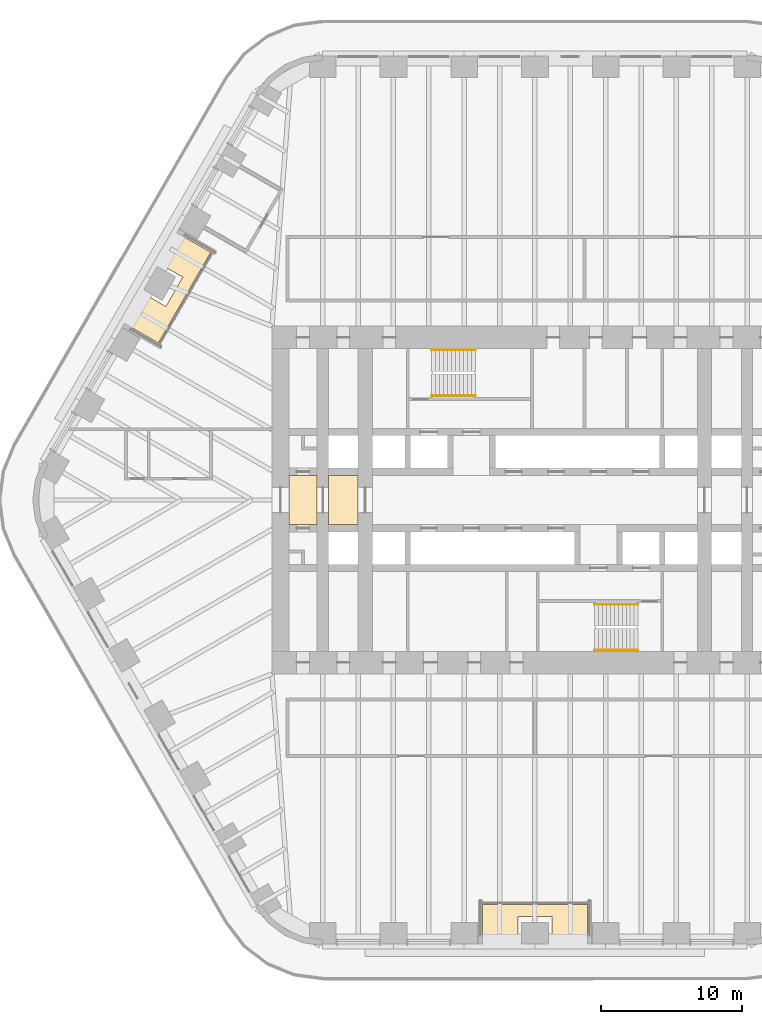
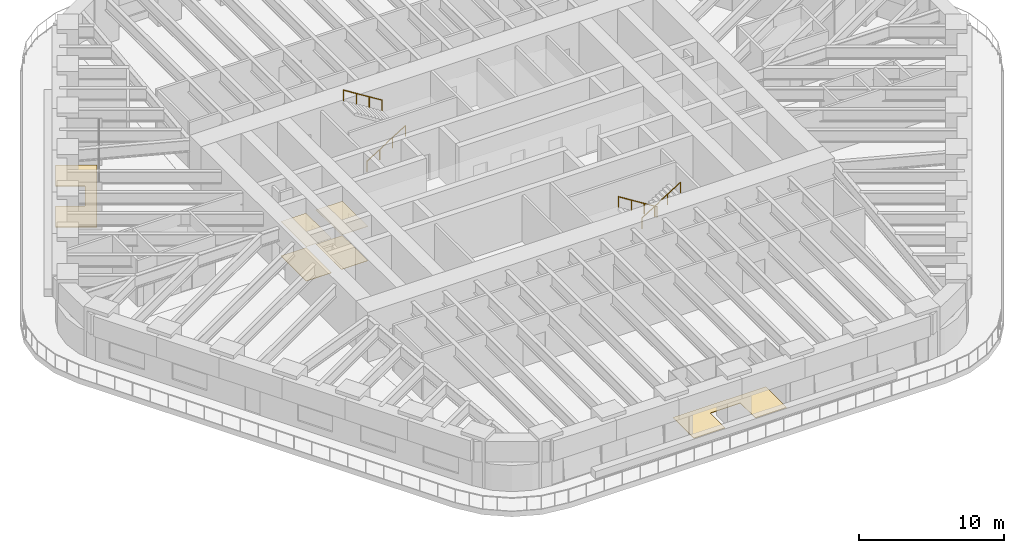
# One storey, part 17 of 19: 6 coverings, 4 railings.
"""IFC4 building model written with IfcOpenShell, lengths in metres."""

import ifcopenshell
import ifcopenshell.guid

model = None  # the IFC model being written
_history = None  # IfcOwnerHistory: only IFC2X3 demands one
_inside = {}  # id of a spatial element -> (the spatial element, [elements in it])
_under = {}  # id of a project, library or spatial element -> (it, [spatial elements below it])
_declared = {}  # id of a project -> (the project, [libraries it declares])
_typed = {}  # id of a type object -> (the type object, [elements of that type])
_made_of = {}  # id of a material, layer set ... -> (it, [elements and type objects made of it])


def new_model(schema):
    """Start an empty IFC model of exactly this schema.

    Asked for "IFC4X3", IfcOpenShell would pick the latest addendum, in which some entities
    have other attributes; the version numbers below select the first issue.
    IFC2X3 requires an IfcOwnerHistory on every rooted entity: one is made here for all.
    """
    global model, _history
    if schema == "IFC4X3":
        model = ifcopenshell.file(schema_version=(4, 3, 0, 0))
    else:
        model = ifcopenshell.file(schema=schema)
    _inside.clear()
    _under.clear()
    _declared.clear()
    _typed.clear()
    _made_of.clear()
    _history = None
    if model.schema == "IFC2X3":
        org = make("IfcOrganization", Name="unknown")
        user = make(
            "IfcPersonAndOrganization",
            ThePerson=make("IfcPerson", FamilyName="unknown"),
            TheOrganization=org,
        )
        app = make(
            "IfcApplication",
            ApplicationDeveloper=org,
            Version="unknown",
            ApplicationFullName="unknown",
            ApplicationIdentifier="unknown",
        )
        _history = make(
            "IfcOwnerHistory",
            OwningUser=user,
            OwningApplication=app,
            ChangeAction="ADDED",
            CreationDate=0,
        )
    return model


def make(cls, **values):
    """One entity of the class cls with the attributes given. An attribute that is None is left unset."""
    return model.create_entity(
        cls, **{name: value for name, value in values.items() if value is not None}
    )


def rooted(cls, **values):
    """An entity with a GlobalId (a new one), such as an element, a storey or a relation."""
    return make(cls, GlobalId=ifcopenshell.guid.new(), OwnerHistory=_history, **values)


def si_unit(unit_type, name, prefix=None):
    """IfcSIUnit, for example si_unit("LENGTHUNIT", "METRE", prefix="MILLI")."""
    return make("IfcSIUnit", UnitType=unit_type, Prefix=prefix, Name=name)


def assignment(units):
    """IfcUnitAssignment: the units of a project."""
    return None if units is None else make("IfcUnitAssignment", Units=units)


def point(xyz):
    """IfcCartesianPoint."""
    return None if xyz is None else make("IfcCartesianPoint", Coordinates=xyz)


def direction(xyz):
    """IfcDirection."""
    return None if xyz is None else make("IfcDirection", DirectionRatios=xyz)


def frame(location, z_axis=None, x_axis=None):
    """IfcAxis2Placement3D, a coordinate frame: its origin and axes. An axis left out is left unset."""
    return make(
        "IfcAxis2Placement3D",
        Location=point(location),
        Axis=direction(z_axis),
        RefDirection=direction(x_axis),
    )


def frame_2d(location, x_axis=None):
    """IfcAxis2Placement2D, a coordinate frame in the plane: its origin and x axis."""
    return make(
        "IfcAxis2Placement2D", Location=point(location), RefDirection=direction(x_axis)
    )


def origin():
    """The frame at (0, 0, 0) with its axes left unset."""
    return frame((0.0, 0.0, 0.0))


def origin_2d():
    """The frame at (0, 0) in the plane with its x axis left unset."""
    return frame_2d((0.0, 0.0))


def place(relative_to, where):
    """IfcLocalPlacement: puts the frame where relative to a parent placement (None: the world)."""
    return make(
        "IfcLocalPlacement", PlacementRelTo=relative_to, RelativePlacement=where
    )


def context(
    kind, dimensions, precision=None, world=None, true_north=None, identifier=None
):
    """IfcGeometricRepresentationContext, for example the 3D "Model" context."""
    return make(
        "IfcGeometricRepresentationContext",
        ContextIdentifier=identifier,
        ContextType=kind,
        CoordinateSpaceDimension=dimensions,
        Precision=precision,
        WorldCoordinateSystem=world,
        TrueNorth=true_north,
    )


def subcontext(parent, identifier, kind, view, scale=None):
    """IfcGeometricRepresentationSubContext, for example "Body" below "Model"."""
    return make(
        "IfcGeometricRepresentationSubContext",
        ContextIdentifier=identifier,
        ContextType=kind,
        ParentContext=parent,
        TargetScale=scale,
        TargetView=view,
    )


def project(units=None, contexts=None):
    """IfcProject with its units and contexts."""
    return rooted(
        "IfcProject",
        Name="project",
        RepresentationContexts=contexts,
        UnitsInContext=assignment(units),
    )


def spatial(cls, under=None, at=None, **own):
    """A site, building, storey or space (cls), placed at a placement, below another one or the project."""
    s = rooted(cls, ObjectPlacement=at, **own)
    if under is not None:
        _under.setdefault(under.id(), (under, []))[1].append(s)
    return s


def polyline(points):
    """IfcPolyline through the points."""
    return make("IfcPolyline", Points=[point(p) for p in points])


def profile(cls, at=None, kind="AREA", **sizes):
    """A parametric profile (cls). Its sizes go by their IFC names, for example OverallWidth=200.0."""
    return make(cls, ProfileType=kind, Position=at, **sizes)


def circle(**sizes):
    """IfcCircleProfileDef."""
    return profile("IfcCircleProfileDef", **sizes)


def outline(outer, holes=None, kind="AREA"):
    """IfcArbitraryClosedProfileDef: a profile drawn as a closed curve; with holes, ...WithVoids."""
    if holes is None:
        return make("IfcArbitraryClosedProfileDef", ProfileType=kind, OuterCurve=outer)
    return make(
        "IfcArbitraryProfileDefWithVoids",
        ProfileType=kind,
        OuterCurve=outer,
        InnerCurves=holes,
    )


def extrude(swept, where, along, depth):
    """IfcExtrudedAreaSolid: the profile swept, set in the frame where, extruded along a direction by depth."""
    return make(
        "IfcExtrudedAreaSolid",
        SweptArea=swept,
        Position=where,
        ExtrudedDirection=direction(along),
        Depth=depth,
    )


def shape(context_of_items, identifier, shape_type, items):
    """IfcShapeRepresentation: the items that make up one representation, for example the "Body"."""
    return make(
        "IfcShapeRepresentation",
        ContextOfItems=context_of_items,
        RepresentationIdentifier=identifier,
        RepresentationType=shape_type,
        Items=items,
    )


def material(Name=None, Category=None):
    """IfcMaterial."""
    return make("IfcMaterial", Name=Name, Category=Category)


def layer(
    of_material, thickness, ventilated=None, Name=None, Category=None, Priority=None
):
    """IfcMaterialLayer: one layer of a wall or slab, of a material (None: an air gap)."""
    return make(
        "IfcMaterialLayer",
        Material=of_material,
        LayerThickness=thickness,
        IsVentilated=ventilated,
        Name=Name,
        Category=Category,
        Priority=Priority,
    )


def layer_set(layers, Name=None):
    """IfcMaterialLayerSet."""
    return make("IfcMaterialLayerSet", MaterialLayers=layers, LayerSetName=Name)


def made_of(thing, what):
    """Note that an element or type object is made of a material, layer set ...; save() writes the relation."""
    if what is not None:
        _made_of.setdefault(what.id(), (what, []))[1].append(thing)
    return thing


def type_object(cls, material=None, **own):
    """A type object (cls), such as IfcWallType, which elements share."""
    return made_of(rooted(cls, **own), material)


def element(
    cls,
    number,
    at=None,
    inside=None,
    cuts=None,
    type_object=None,
    material=None,
    context=None,
    identifier="Body",
    shape_type=None,
    held_by="IfcProductDefinitionShape",
    body=None,
    shapes=None,
    **own,
):
    """One element of the class cls, such as IfcWall. Its Tag is "e" and its number.

    at: its placement. inside: the storey or other place that contains it. cuts: it is an
    opening in that element (IfcRelVoidsElement). A single representation is given by context,
    identifier, shape_type and body (its items); several are given by shapes. held_by: the class
    of the entity that holds the representations. save() writes the other relations.
    """
    e = rooted(cls, Tag="e%d" % number, ObjectPlacement=at, **own)
    if body is not None:
        shapes = [shape(context, identifier, shape_type, body)]
    if shapes is not None:
        e.Representation = make(held_by, Representations=shapes)
    if inside is not None:
        _inside.setdefault(inside.id(), (inside, []))[1].append(e)
    if cuts is not None:
        rooted(
            "IfcRelVoidsElement", RelatingBuildingElement=cuts, RelatedOpeningElement=e
        )
    if type_object is not None:
        _typed.setdefault(type_object.id(), (type_object, []))[1].append(e)
    return made_of(e, material)


def aggregate(whole, parts):
    """IfcRelAggregates: a whole, such as a stair, and the parts it consists of."""
    return rooted("IfcRelAggregates", RelatingObject=whole, RelatedObjects=parts)


def save(model, path):
    """Write the relations noted so far, then the file.

    IfcRelAggregates (storeys below a building ...), IfcRelContainedInSpatialStructure (elements
    in a storey), IfcRelDefinesByType, IfcRelAssociatesMaterial and IfcRelDeclares: one each for
    every whole, place, type object, material and project.
    """
    for whole, parts in _under.values():
        aggregate(whole, parts)
    for where, things in _inside.values():
        rooted(
            "IfcRelContainedInSpatialStructure",
            RelatedElements=things,
            RelatingStructure=where,
        )
    for kind, things in _typed.values():
        rooted("IfcRelDefinesByType", RelatedObjects=things, RelatingType=kind)
    for what, things in _made_of.values():
        rooted("IfcRelAssociatesMaterial", RelatedObjects=things, RelatingMaterial=what)
    for by, libraries in _declared.values():
        rooted("IfcRelDeclares", RelatingContext=by, RelatedDefinitions=libraries)
    model.write(path)


model = new_model("IFC4")

# Units and contexts
model_context = context("Model", 3, precision=1e-05, world=origin(), true_north=direction((0.0, 1.0)))
body_context = subcontext(model_context, "Body", "Model", "MODEL_VIEW")
ifc_project = project(units=[si_unit("LENGTHUNIT", "METRE"), si_unit("AREAUNIT", "SQUARE_METRE"), si_unit("VOLUMEUNIT", "CUBIC_METRE"), si_unit("PLANEANGLEUNIT", "RADIAN"), si_unit("MASSUNIT", "GRAM", prefix="KILO")], contexts=[model_context])

# Site, building, storey
site_placement = place(None, origin())
site = spatial("IfcSite", under=ifc_project, at=site_placement, CompositionType="ELEMENT")
building_placement = place(site_placement, origin())
building = spatial("IfcBuilding", under=site, at=building_placement, Name="Tarfa Lantern Tower", CompositionType="ELEMENT")
storey_placement = place(building_placement, frame((0.0, 0.0, 199.300048828125)))
storey = spatial("IfcBuildingStorey", under=building, at=storey_placement, Name="L45", CompositionType="ELEMENT", Elevation=199.300048828125)

# Coverings
ifc_material_1 = material(Name="Powder-coated aluminium panel", Category="aluminium")
ifc_layer_1 = layer(ifc_material_1, 0.030029296875)
ifc_layer_set_1 = layer_set([ifc_layer_1], Name="CL3 METAL PANEL CEILING 30")
covering_type_1 = type_object("IfcCoveringType", Name="CL3 METAL PANEL CEILING 30", PredefinedType="CEILING", material=ifc_layer_set_1)
covering_1_placement = place(storey_placement, frame((0.0, 0.0, 2.89990234375)))
element("IfcCovering", 1, at=covering_1_placement, inside=storey, type_object=covering_type_1, Name="Ceiling L45-01", PredefinedType="CEILING", context=body_context, shape_type="SweptSolid", body=[
    extrude(outline(polyline([(-17.39990234375, -1.75), (-15.39990234375, -1.75), (-15.39990234375, 1.75), (-17.39990234375, 1.75), (-17.39990234375, -1.75)])), origin(), (0.0, 0.0, 1.0), 0.030029296875),
])
covering_2_placement = place(storey_placement, frame((0.0, 0.0, 2.89990234375)))
element("IfcCovering", 2, at=covering_2_placement, inside=storey, type_object=covering_type_1, Name="Ceiling L45-02", PredefinedType="CEILING", context=body_context, shape_type="SweptSolid", body=[
    extrude(outline(polyline([(-14.60009765625, -1.75), (-12.5, -1.75), (-12.5, 1.75), (-14.60009765625, 1.75), (-14.60009765625, -1.75)])), origin(), (0.0, 0.0, 1.0), 0.030029296875),
])
ifc_material_2 = material(Name="Honed limestone flooring", Category="masonry")
ifc_layer_2 = layer(ifc_material_2, 0.030029296875)
ifc_layer_set_2 = layer_set([ifc_layer_2], Name="FL2 STONE FLOORING 30")
covering_type_2 = type_object("IfcCoveringType", Name="FL2 STONE FLOORING 30", PredefinedType="FLOORING", material=ifc_layer_set_2)
covering_3_placement = place(storey_placement, origin())
element("IfcCovering", 3, at=covering_3_placement, inside=storey, type_object=covering_type_2, Name="Floor finish L45-01", PredefinedType="FLOORING", context=body_context, shape_type="SweptSolid", body=[
    extrude(outline(polyline([(-17.39990234375, -1.75), (-15.39990234375, -1.75), (-15.39990234375, 1.75), (-17.39990234375, 1.75), (-17.39990234375, -1.75)])), origin(), (0.0, 0.0, 1.0), 0.030029296875),
])
covering_4_placement = place(storey_placement, origin())
element("IfcCovering", 4, at=covering_4_placement, inside=storey, type_object=covering_type_2, Name="Floor finish L45-02", PredefinedType="FLOORING", context=body_context, shape_type="SweptSolid", body=[
    extrude(outline(polyline([(-14.60009765625, -1.75), (-12.5, -1.75), (-12.5, 1.75), (-14.60009765625, 1.75), (-14.60009765625, -1.75)])), origin(), (0.0, 0.0, 1.0), 0.030029296875),
])

# Railings
ifc_material_3 = material(Name="Stainless steel", Category="steel")
railing_type = type_object("IfcRailingType", Name="HR1 HANDRAIL 900", PredefinedType="HANDRAIL", material=ifc_material_3)
railing_1_placement = place(storey_placement, frame((-7.300048828125, 7.3798828125, 0.175048828125)))
element("IfcRailing", 5, at=railing_1_placement, inside=storey, type_object=railing_type, Name="Handrail 1", PredefinedType="HANDRAIL", context=body_context, shape_type="SweptSolid", body=[
    extrude(circle(Radius=0.02392578125, at=origin_2d()), frame((0.0, 0.0, 0.8759765625), z_axis=(0.848028513186, 0.0, 0.529950602248), x_axis=(0.0, 1.0, 0.0)), (0.0, 0.0, 1.0), 3.632080078125),
    extrude(circle(Radius=0.02099609375, at=origin_2d()), frame((0.0, 0.0, 0.0), z_axis=(0.0, 0.0, 1.0), x_axis=(0.0, 1.0, 0.0)), (0.0, 0.0, 1.0), 0.851806640625),
    extrude(circle(Radius=0.02099609375, at=origin_2d()), frame((1.026611328125, 0.0, 0.6416015625), z_axis=(0.0, 0.0, 1.0), x_axis=(0.0, 1.0, 0.0)), (0.0, 0.0, 1.0), 0.851806640625),
    extrude(circle(Radius=0.02099609375, at=origin_2d()), frame((2.053466796875, 0.0, 1.283203125), z_axis=(0.0, 0.0, 1.0), x_axis=(0.0, 1.0, 0.0)), (0.0, 0.0, 1.0), 0.851806640625),
    extrude(circle(Radius=0.02099609375, at=origin_2d()), frame((3.080078125, 0.0, 1.9248046875), z_axis=(0.0, 0.0, 1.0), x_axis=(0.0, 1.0, 0.0)), (0.0, 0.0, 1.0), 0.851806640625),
])
railing_2_placement = place(storey_placement, frame((-4.219970703125, 10.6201171875, 2.27490234375)))
element("IfcRailing", 6, at=railing_2_placement, inside=storey, type_object=railing_type, Name="Handrail 2", PredefinedType="HANDRAIL", context=body_context, shape_type="SweptSolid", body=[
    extrude(circle(Radius=0.02392578125, at=origin_2d()), frame((0.0, 0.0, 0.8759765625), z_axis=(-0.847998304005, 0.0, 0.529998940003), x_axis=(0.0, -1.0, 0.0)), (0.0, 0.0, 1.0), 3.632080078125),
    extrude(circle(Radius=0.02099609375, at=origin_2d()), frame((0.0, 0.0, 0.0), z_axis=(0.0, 0.0, 1.0), x_axis=(0.0, -1.0, 0.0)), (0.0, 0.0, 1.0), 0.851806640625),
    extrude(circle(Radius=0.02099609375, at=origin_2d()), frame((-1.026611328125, 0.0, 0.6416015625), z_axis=(0.0, 0.0, 1.0), x_axis=(0.0, -1.0, 0.0)), (0.0, 0.0, 1.0), 0.851806640625),
    extrude(circle(Radius=0.02099609375, at=origin_2d()), frame((-2.053466796875, 0.0, 1.283447265625), z_axis=(0.0, 0.0, 1.0), x_axis=(0.0, -1.0, 0.0)), (0.0, 0.0, 1.0), 0.851806640625),
    extrude(circle(Radius=0.02099609375, at=origin_2d()), frame((-3.080078125, 0.0, 1.925048828125), z_axis=(0.0, 0.0, 1.0), x_axis=(0.0, -1.0, 0.0)), (0.0, 0.0, 1.0), 0.851806640625),
])
railing_3_placement = place(storey_placement, frame((7.300048828125, -7.3798828125, 0.175048828125)))
element("IfcRailing", 7, at=railing_3_placement, inside=storey, type_object=railing_type, Name="Handrail 1", PredefinedType="HANDRAIL", context=body_context, shape_type="SweptSolid", body=[
    extrude(circle(Radius=0.02392578125, at=origin_2d()), frame((0.0, 0.0, 0.8759765625), z_axis=(-0.848028513186, 0.0, 0.529950602248), x_axis=(0.0, -1.0, 0.0)), (0.0, 0.0, 1.0), 3.632080078125),
    extrude(circle(Radius=0.02099609375, at=origin_2d()), frame((0.0, 0.0, 0.0), z_axis=(0.0, 0.0, 1.0), x_axis=(0.0, -1.0, 0.0)), (0.0, 0.0, 1.0), 0.851806640625),
    extrude(circle(Radius=0.02099609375, at=origin_2d()), frame((-1.026611328125, 0.0, 0.6416015625), z_axis=(0.0, 0.0, 1.0), x_axis=(0.0, -1.0, 0.0)), (0.0, 0.0, 1.0), 0.851806640625),
    extrude(circle(Radius=0.02099609375, at=origin_2d()), frame((-2.053466796875, 0.0, 1.283203125), z_axis=(0.0, 0.0, 1.0), x_axis=(0.0, -1.0, 0.0)), (0.0, 0.0, 1.0), 0.851806640625),
    extrude(circle(Radius=0.02099609375, at=origin_2d()), frame((-3.080078125, 0.0, 1.9248046875), z_axis=(0.0, 0.0, 1.0), x_axis=(0.0, -1.0, 0.0)), (0.0, 0.0, 1.0), 0.851806640625),
])
railing_4_placement = place(storey_placement, frame((4.219970703125, -10.6201171875, 2.27490234375)))
element("IfcRailing", 8, at=railing_4_placement, inside=storey, type_object=railing_type, Name="Handrail 2", PredefinedType="HANDRAIL", context=body_context, shape_type="SweptSolid", body=[
    extrude(circle(Radius=0.02392578125, at=origin_2d()), frame((0.0, 0.0, 0.8759765625), z_axis=(0.847998304005, 0.0, 0.529998940003), x_axis=(0.0, 1.0, 0.0)), (0.0, 0.0, 1.0), 3.632080078125),
    extrude(circle(Radius=0.02099609375, at=origin_2d()), frame((0.0, 0.0, 0.0), z_axis=(0.0, 0.0, 1.0), x_axis=(0.0, 1.0, 0.0)), (0.0, 0.0, 1.0), 0.851806640625),
    extrude(circle(Radius=0.02099609375, at=origin_2d()), frame((1.026611328125, 0.0, 0.6416015625), z_axis=(0.0, 0.0, 1.0), x_axis=(0.0, 1.0, 0.0)), (0.0, 0.0, 1.0), 0.851806640625),
    extrude(circle(Radius=0.02099609375, at=origin_2d()), frame((2.053466796875, 0.0, 1.283447265625), z_axis=(0.0, 0.0, 1.0), x_axis=(0.0, 1.0, 0.0)), (0.0, 0.0, 1.0), 0.851806640625),
    extrude(circle(Radius=0.02099609375, at=origin_2d()), frame((3.080078125, 0.0, 1.925048828125), z_axis=(0.0, 0.0, 1.0), x_axis=(0.0, 1.0, 0.0)), (0.0, 0.0, 1.0), 0.851806640625),
])

# Coverings
ifc_material_4 = material(Name="Porcelain pavers on pedestals", Category="ceramic")
ifc_layer_3 = layer(ifc_material_4, 0.0400390625)
ifc_layer_set_3 = layer_set([ifc_layer_3], Name="LP1 LOGGIA PAVING 40")
covering_type_3 = type_object("IfcCoveringType", Name="LP1 LOGGIA PAVING 40", PredefinedType="FLOORING", material=ifc_layer_set_3)
covering_5_placement = place(storey_placement, origin())
element("IfcCovering", 9, at=covering_5_placement, inside=storey, type_object=covering_type_3, Name="Loggia paving NW", PredefinedType="FLOORING", context=body_context, shape_type="SweptSolid", body=[
    extrude(outline(polyline([(-25.427978515625, 18.95751953125), (-22.933837890625, 17.517578125), (-26.637451171875, 11.1025390625), (-29.131591796875, 12.54248046875), (-27.8798828125, 14.710693359375), (-26.1044921875, 13.685791015625), (-24.904541015625, 15.76416015625), (-26.6796875, 16.789306640625), (-25.427978515625, 18.95751953125)])), origin(), (0.0, 0.0, 1.0), 0.0400390625),
])
covering_6_placement = place(storey_placement, origin())
element("IfcCovering", 10, at=covering_6_placement, inside=storey, type_object=covering_type_3, Name="Loggia paving S", PredefinedType="FLOORING", context=body_context, shape_type="SweptSolid", body=[
    extrude(outline(polyline([(-3.70361328125, -31.5), (-3.70361328125, -28.6201171875), (3.70361328125, -28.6201171875), (3.70361328125, -31.5), (1.199951171875, -31.5), (1.199951171875, -29.449951171875), (-1.199951171875, -29.449951171875), (-1.199951171875, -31.5), (-3.70361328125, -31.5)])), origin(), (0.0, 0.0, 1.0), 0.0400390625),
])

save(model, "model.ifc")
